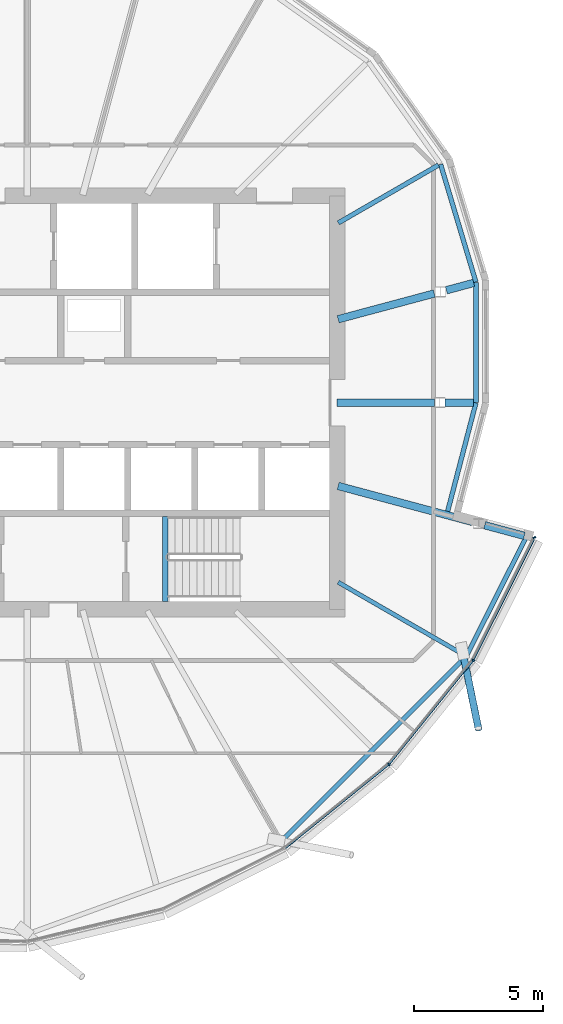
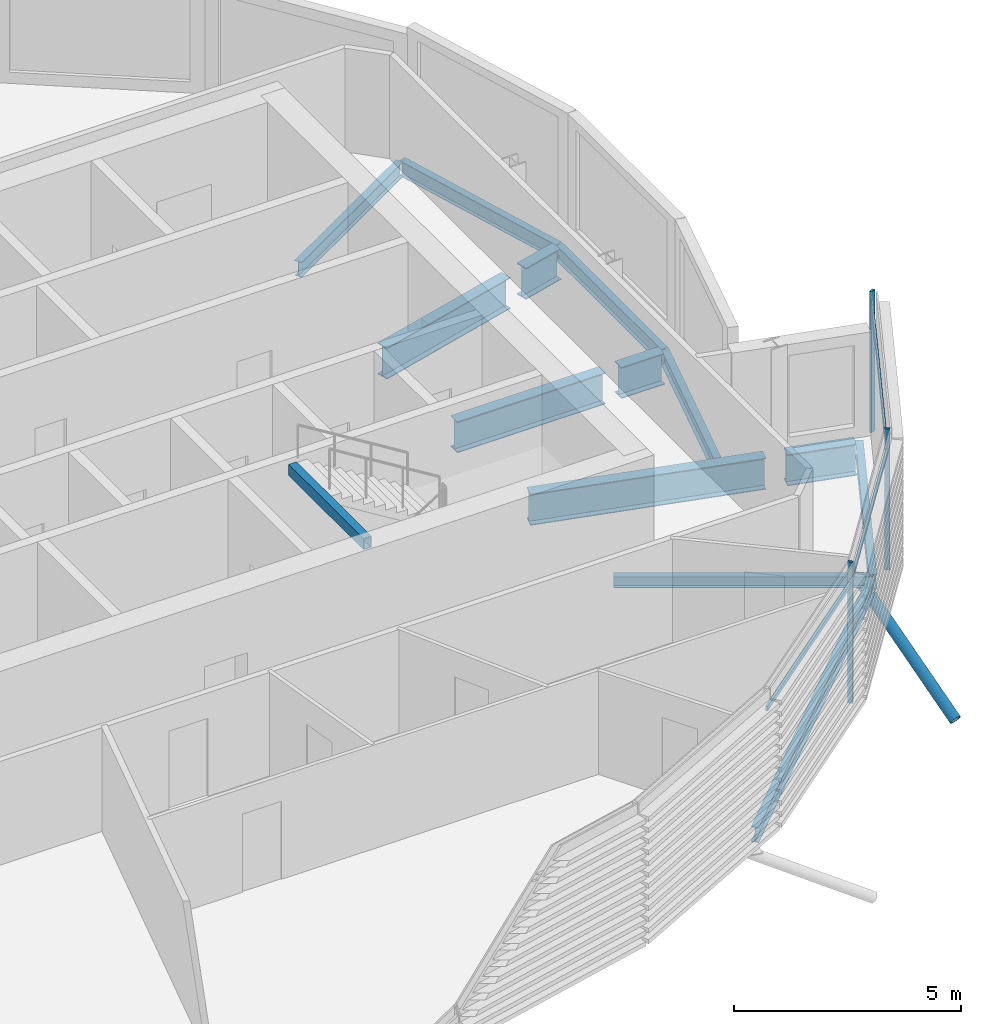
# One storey, part 14 of 37: 14 beams, 7 members, 1 element without a shape of its own.
"""IFC4 building model written with IfcOpenShell, lengths in metres."""

from ifc_helpers import new_model, si_unit, direction, frame, origin, origin_2d, place, context, subcontext, project, spatial, rectangle, hollow_rectangle, hollow_circle, i_section, extrude, clip, halfspace, material, material_profile, profile_set, type_object, element, aggregate, save


model = new_model("IFC4")

# Units and contexts
model_context = context("Model", 3, precision=1e-05, world=origin(), true_north=direction((0.0, 1.0)))
body_context = subcontext(model_context, "Body", "Model", "MODEL_VIEW")
ifc_project = project(units=[si_unit("LENGTHUNIT", "METRE"), si_unit("AREAUNIT", "SQUARE_METRE"), si_unit("VOLUMEUNIT", "CUBIC_METRE"), si_unit("PLANEANGLEUNIT", "RADIAN"), si_unit("MASSUNIT", "GRAM", prefix="KILO")], contexts=[model_context])

# Site, building, storey
site_placement = place(None, origin())
site = spatial("IfcSite", under=ifc_project, at=site_placement, CompositionType="ELEMENT")
building_placement = place(site_placement, origin())
building = spatial("IfcBuilding", under=site, at=building_placement, Name="Rimbun Link Towers", CompositionType="ELEMENT")
storey_placement = place(building_placement, frame((0.0, 0.0, 177.89990234375)))
storey = spatial("IfcBuildingStorey", under=building, at=storey_placement, Name="L43", CompositionType="ELEMENT", Elevation=177.89990234375)

# Curtain wall, members
ifc_material_1 = material(Name="Aluminium 6063-T6 and low-iron glass", Category="aluminium")
curtain_wall_type = type_object("IfcCurtainWallType", Name="CW1-Z3 unitised vision wall (zone 3)", PredefinedType="NOTDEFINED", material=ifc_material_1)
curtain_wall_placement = place(storey_placement, origin())
curtain_wall = element("IfcCurtainWall", 1, at=curtain_wall_placement, inside=storey, type_object=curtain_wall_type, Name="CW1 L43 T2", PredefinedType="NOTDEFINED")
ifc_material_2 = material(Name="Aluminium 6063-T6", Category="aluminium")
ifc_material_profile_1 = material_profile(ifc_material_2, rectangle(XDim=0.1201171875, YDim=0.06005859375, at=origin_2d()), Name="MULLION 60X120")
ifc_profile_set_1 = profile_set([ifc_material_profile_1], Name="Aluminium 6063-T6")
member_type_1 = type_object("IfcMemberType", Name="CW1 mullion 60X120", PredefinedType="MULLION", material=ifc_profile_set_1)
member_1_placement = place(storey_placement, frame((45.7568359375, -14.0068359375, 0.0), z_axis=(0.0, 0.0, 1.0), x_axis=(0.707106781187, -0.707106781187, 0.0)))
member_1 = element("IfcMember", 2, at=member_1_placement, type_object=member_type_1, Name="CW1 mullion", PredefinedType="MULLION", context=body_context, shape_type="SweptSolid", body=[
    extrude(rectangle(XDim=0.1201171875, YDim=0.06005859375, at=origin_2d()), origin(), (0.0, 0.0, 1.0), 3.800048828125),
])
member_2_placement = place(storey_placement, frame((49.0205078125, -9.974609375, 0.0), z_axis=(0.0, 0.0, 1.0), x_axis=(0.84031590903, -0.542097014409, 0.0)))
member_2 = element("IfcMember", 3, at=member_2_placement, type_object=member_type_1, Name="CW1 mullion", PredefinedType="MULLION", context=body_context, shape_type="SweptSolid", body=[
    extrude(rectangle(XDim=0.1201171875, YDim=0.06005859375, at=origin_2d()), origin(), (0.0, 0.0, 1.0), 3.800048828125),
])
member_3_placement = place(storey_placement, frame((51.38330078125, -5.221435546875, 0.0), z_axis=(0.0, 0.0, 1.0), x_axis=(0.912350612817, 0.409409769414, 0.0)))
member_3 = element("IfcMember", 4, at=member_3_placement, type_object=member_type_1, Name="CW1 mullion", PredefinedType="MULLION", context=body_context, shape_type="SweptSolid", body=[
    extrude(rectangle(XDim=0.1201171875, YDim=0.06005859375, at=origin_2d()), origin(), (0.0, 0.0, 1.0), 3.800048828125),
])
ifc_material_3 = material(Name="Aluminium 6063-T6", Category="aluminium")
ifc_material_profile_2 = material_profile(ifc_material_3, rectangle(XDim=0.06005859375, YDim=0.1201171875, at=origin_2d()), Name="TRANSOM 60X120")
ifc_profile_set_2 = profile_set([ifc_material_profile_2], Name="Aluminium 6063-T6")
member_type_2 = type_object("IfcMemberType", Name="CW1 transom 60X120", PredefinedType="USERDEFINED", material=ifc_profile_set_2)
member_4_placement = place(storey_placement, frame((45.7275390625, -14.0283203125, 3.2001953125), z_axis=(-0.777274882406, -0.629161153586, 0.0), x_axis=(0.629161153586, -0.777274882406, 0.0)))
member_4 = element("IfcMember", 5, at=member_4_placement, type_object=member_type_2, Name="CW1 transom", ObjectType="TRANSOM", PredefinedType="USERDEFINED", context=body_context, shape_type="SweptSolid", body=[
    extrude(rectangle(XDim=0.06005859375, YDim=0.1201171875, at=origin_2d()), origin(), (0.0, 0.0, 1.0), 5.11474609375),
])
member_5_placement = place(storey_placement, frame((48.996337890625, -10.001953125, 3.2001953125), z_axis=(-0.629161153586, -0.777274882406, 0.0), x_axis=(0.777274882406, -0.629161153586, 0.0)))
member_5 = element("IfcMember", 6, at=member_5_placement, type_object=member_type_2, Name="CW1 transom", ObjectType="TRANSOM", PredefinedType="USERDEFINED", context=body_context, shape_type="SweptSolid", body=[
    extrude(rectangle(XDim=0.06005859375, YDim=0.1201171875, at=origin_2d()), origin(), (0.0, 0.0, 1.0), 5.11474609375),
])
member_6_placement = place(storey_placement, frame((51.366943359375, -5.298828125, 3.2001953125), z_axis=(-0.448791894186, -0.89363629946, 0.0), x_axis=(0.89363629946, -0.448791894186, 0.0)))
member_6 = element("IfcMember", 7, at=member_6_placement, type_object=member_type_2, Name="CW1 transom", ObjectType="TRANSOM", PredefinedType="USERDEFINED", context=body_context, shape_type="SweptSolid", body=[
    extrude(rectangle(XDim=0.06005859375, YDim=0.1201171875, at=origin_2d()), origin(), (0.0, 0.0, 1.0), 5.195068359375),
])
aggregate(curtain_wall, [member_1, member_2, member_3, member_4, member_5, member_6])

# Member
ifc_material_4 = material(Name="Steel S355J2H", Category="steel")
ifc_material_profile_3 = material_profile(ifc_material_4, hollow_circle(Radius=0.136474609375, WallThickness=0.012451171875, at=origin_2d()), Name="CHS 273x12.5")
ifc_profile_set_3 = profile_set([ifc_material_profile_3], Name="Steel S355J2H")
member_type_3 = type_object("IfcMemberType", Name="Floor edge link CHS 273x12.5", PredefinedType="BRACE", material=ifc_profile_set_3)
member_7_placement = place(storey_placement, frame((48.629638671875, -9.74560546875, -0.5673828125), z_axis=(0.168032855961, -0.817244432568, -0.551249940366), x_axis=(0.979509882615, 0.201396101899, 0.0)))
element("IfcMember", 8, at=member_7_placement, inside=storey, type_object=member_type_3, Name="Floor edge link T2 L43 19", PredefinedType="BRACE", context=body_context, shape_type="Clipping", body=[
    clip(extrude(hollow_circle(Radius=0.136474609375, WallThickness=0.012451171875, at=origin_2d()), frame((0.0, 0.0, -0.431396484375)), (0.0, 0.0, 1.0), 3.9677734375), halfspace(frame((0.0, 0.0, -0.203369140625), z_axis=(0.0, 0.834340160394, -0.551249940366)), False)),
])

# Beams
ifc_material_5 = material(Name="Steel S355J2", Category="steel")
ifc_material_profile_4 = material_profile(ifc_material_5, hollow_rectangle(XDim=0.199951171875, YDim=0.300048828125, WallThickness=0.011962890625, at=origin_2d()), Name="BOX 300x200x12")
ifc_profile_set_4 = profile_set([ifc_material_profile_4], Name="Steel S355J2")
beam_type_1 = type_object("IfcBeamType", Name="Stair trimmer beam BOX 300x200x12", PredefinedType="BEAM", material=ifc_profile_set_4)
beam_1_placement = place(storey_placement, frame((37.10009765625, -7.699951171875, 3.5), z_axis=(0.0, 1.0, 0.0), x_axis=(-1.0, 0.0, 0.0)))
element("IfcBeam", 9, at=beam_1_placement, inside=storey, type_object=beam_type_1, Name="L43 ST4 stair beam 1", PredefinedType="BEAM", context=body_context, shape_type="SweptSolid", body=[
    extrude(hollow_rectangle(XDim=0.199951171875, YDim=0.300048828125, WallThickness=0.011962890625, at=origin_2d()), origin(), (0.0, 0.0, 1.0), 3.300048828125),
])
ifc_material_6 = material(Name="Steel S355J2", Category="steel")
ifc_material_profile_5 = material_profile(ifc_material_6, i_section(OverallWidth=0.1650390625, OverallDepth=0.303466796875, WebThickness=0.006103515625, FlangeThickness=0.01025390625, at=origin_2d()), Name="UB 305x165x40")
ifc_profile_set_5 = profile_set([ifc_material_profile_5], Name="Steel S355J2")
beam_type_2 = type_object("IfcBeamType", Name="UB 305x165x40", PredefinedType="BEAM", material=ifc_profile_set_5)
beam_2_placement = place(storey_placement, frame((43.7919921875, -6.952392578125, -0.301513671875), z_axis=(0.866024727271, -0.500001171754, 0.0), x_axis=(0.500001171754, 0.866024727271, 0.0)))
element("IfcBeam", 10, at=beam_2_placement, inside=storey, type_object=beam_type_2, Name="Radial beam T2 L43 19", PredefinedType="BEAM", context=body_context, shape_type="SweptSolid", body=[
    extrude(i_section(OverallWidth=0.1650390625, OverallDepth=0.303466796875, WebThickness=0.006103515625, FlangeThickness=0.01025390625, at=origin_2d()), origin(), (0.0, 0.0, 1.0), 5.63623046875),
])
ifc_material_7 = material(Name="Steel S355J2", Category="steel")
ifc_material_profile_6 = material_profile(ifc_material_7, i_section(OverallWidth=0.177978515625, OverallDepth=0.406494140625, WebThickness=0.0078125, FlangeThickness=0.0126953125, at=origin_2d()), Name="UB 406x178x60")
ifc_profile_set_6 = profile_set([ifc_material_profile_6], Name="Steel S355J2")
beam_type_3 = type_object("IfcBeamType", Name="UB 406x178x60", PredefinedType="BEAM", material=ifc_profile_set_6)
beam_3_placement = place(storey_placement, frame((43.79541015625, 6.954345703125, -0.35302734375), z_axis=(0.866019379875, 0.500010433572, 0.0), x_axis=(-0.500010433572, 0.866019379875, 0.0)))
element("IfcBeam", 11, at=beam_3_placement, inside=storey, type_object=beam_type_3, Name="Radial beam T2 L43 23", PredefinedType="BEAM", context=body_context, shape_type="SweptSolid", body=[
    extrude(i_section(OverallWidth=0.177978515625, OverallDepth=0.406494140625, WebThickness=0.0078125, FlangeThickness=0.0126953125, at=origin_2d()), origin(), (0.0, 0.0, 1.0), 4.4765625),
])
beam_4_placement = place(storey_placement, frame((41.642822265625, -16.923583984375, -0.35302734375), z_axis=(0.707119029808, 0.707094532353, 0.0), x_axis=(-0.707094532353, 0.707119029808, 0.0)))
element("IfcBeam", 12, at=beam_4_placement, inside=storey, type_object=beam_type_3, Name="Edge beam T2 L43 17-19", PredefinedType="BEAM", context=body_context, shape_type="SweptSolid", body=[
    extrude(i_section(OverallWidth=0.177978515625, OverallDepth=0.406494140625, WebThickness=0.0078125, FlangeThickness=0.0126953125, at=origin_2d()), origin(), (0.0, 0.0, 1.0), 9.966064453125),
])
beam_5_placement = place(storey_placement, frame((48.75146484375, -9.814697265625, -0.35302734375), z_axis=(0.449245908219, 0.893408145222, 0.0), x_axis=(-0.893408145222, 0.449245908219, 0.0)))
element("IfcBeam", 13, at=beam_5_placement, inside=storey, type_object=beam_type_3, Name="Edge beam T2 L43 19", PredefinedType="BEAM", context=body_context, shape_type="SweptSolid", body=[
    extrude(i_section(OverallWidth=0.177978515625, OverallDepth=0.406494140625, WebThickness=0.0078125, FlangeThickness=0.0126953125, at=origin_2d()), origin(), (0.0, 0.0, 1.0), 5.1865234375),
])
beam_6_placement = place(storey_placement, frame((48.027587890625, -4.20849609375, -0.35302734375), z_axis=(0.252259185251, 0.967659704368, 0.0), x_axis=(-0.967659704368, 0.252259185251, 0.0)))
element("IfcBeam", 14, at=beam_6_placement, inside=storey, type_object=beam_type_3, Name="Edge beam T2 L43 20 recess", PredefinedType="BEAM", context=body_context, shape_type="SweptSolid", body=[
    extrude(i_section(OverallWidth=0.177978515625, OverallDepth=0.406494140625, WebThickness=0.0078125, FlangeThickness=0.0126953125, at=origin_2d()), origin(), (0.0, 0.0, 1.0), 4.336669921875),
])
beam_7_placement = place(storey_placement, frame((49.124755859375, 0.012451171875, -0.35302734375), z_axis=(0.000105479668, 0.999999994437, 0.0), x_axis=(-0.999999994437, 0.000105479668, 0.0)))
element("IfcBeam", 15, at=beam_7_placement, inside=storey, type_object=beam_type_3, Name="Edge beam T2 L43 21 recess", PredefinedType="BEAM", context=body_context, shape_type="SweptSolid", body=[
    extrude(i_section(OverallWidth=0.177978515625, OverallDepth=0.406494140625, WebThickness=0.0078125, FlangeThickness=0.0126953125, at=origin_2d()), origin(), (0.0, 0.0, 1.0), 4.629150390625),
])
beam_8_placement = place(storey_placement, frame((49.121337890625, 4.669189453125, -0.35302734375), z_axis=(-0.287413840824, 0.957806496169, 0.0), x_axis=(-0.957806496169, -0.287413840824, 0.0)))
element("IfcBeam", 16, at=beam_8_placement, inside=storey, type_object=beam_type_3, Name="Edge beam T2 L43 22 recess", PredefinedType="BEAM", context=body_context, shape_type="SweptSolid", body=[
    extrude(i_section(OverallWidth=0.177978515625, OverallDepth=0.406494140625, WebThickness=0.0078125, FlangeThickness=0.0126953125, at=origin_2d()), origin(), (0.0, 0.0, 1.0), 4.75439453125),
])
ifc_material_8 = material(Name="Steel S355J2", Category="steel")
ifc_material_profile_7 = material_profile(ifc_material_8, i_section(OverallWidth=0.29248046875, OverallDepth=0.8408203125, WebThickness=0.0126953125, FlangeThickness=0.021728515625, at=origin_2d()), Name="UB 838x292x194")
ifc_profile_set_7 = profile_set([ifc_material_profile_7], Name="Steel S355J2")
beam_type_4 = type_object("IfcBeamType", Name="UB 838x292x194", PredefinedType="BEAM", material=ifc_profile_set_7)
beam_9_placement = place(storey_placement, frame((43.788818359375, -3.225830078125, -0.5703125), z_axis=(0.965931653646, -0.258797296131, 0.0), x_axis=(0.258797296131, 0.965931653646, 0.0)))
element("IfcBeam", 17, at=beam_9_placement, inside=storey, type_object=beam_type_4, Name="Radial beam T2 L43 20", PredefinedType="BEAM", context=body_context, shape_type="SweptSolid", body=[
    extrude(i_section(OverallWidth=0.29248046875, OverallDepth=0.8408203125, WebThickness=0.0126953125, FlangeThickness=0.021728515625, at=origin_2d()), origin(), (0.0, 0.0, 1.0), 5.3828125),
])
beam_10_placement = place(storey_placement, frame((43.7509765625, 0.0, -0.5703125), z_axis=(1.0, 0.0, 0.0), x_axis=(0.0, 1.0, 0.0)))
element("IfcBeam", 18, at=beam_10_placement, inside=storey, type_object=beam_type_4, Name="Radial beam T2 L43 21", PredefinedType="BEAM", context=body_context, shape_type="SweptSolid", body=[
    extrude(i_section(OverallWidth=0.29248046875, OverallDepth=0.8408203125, WebThickness=0.0126953125, FlangeThickness=0.021728515625, at=origin_2d()), origin(), (0.0, 0.0, 1.0), 3.77685546875),
])
beam_11_placement = place(storey_placement, frame((43.788818359375, 3.225830078125, -0.5703125), z_axis=(0.965937582463, 0.258775166477, 0.0), x_axis=(-0.258775166477, 0.965937582463, 0.0)))
element("IfcBeam", 19, at=beam_11_placement, inside=storey, type_object=beam_type_4, Name="Radial beam T2 L43 22", PredefinedType="BEAM", context=body_context, shape_type="SweptSolid", body=[
    extrude(i_section(OverallWidth=0.29248046875, OverallDepth=0.8408203125, WebThickness=0.0126953125, FlangeThickness=0.021728515625, at=origin_2d()), origin(), (0.0, 0.0, 1.0), 3.85107421875),
])
beam_12_placement = place(storey_placement, frame((49.459716796875, -4.745361328125, -0.5703125), z_axis=(0.965925398675, -0.258820640976, 0.0), x_axis=(0.258820640976, 0.965925398675, 0.0)))
element("IfcBeam", 20, at=beam_12_placement, inside=storey, type_object=beam_type_4, Name="Radial beam T2 L43 20 outer cantilever", PredefinedType="BEAM", context=body_context, shape_type="SweptSolid", body=[
    extrude(i_section(OverallWidth=0.29248046875, OverallDepth=0.8408203125, WebThickness=0.0126953125, FlangeThickness=0.021728515625, at=origin_2d()), origin(), (0.0, 0.0, 1.0), 1.587646484375),
])
beam_13_placement = place(storey_placement, frame((47.927978515625, 0.0, -0.5703125), z_axis=(1.0, 0.0, 0.0), x_axis=(0.0, 1.0, 0.0)))
element("IfcBeam", 21, at=beam_13_placement, inside=storey, type_object=beam_type_4, Name="Radial beam T2 L43 21 outer cantilever", PredefinedType="BEAM", context=body_context, shape_type="SweptSolid", body=[
    extrude(i_section(OverallWidth=0.29248046875, OverallDepth=0.8408203125, WebThickness=0.0126953125, FlangeThickness=0.021728515625, at=origin_2d()), origin(), (0.0, 0.0, 1.0), 1.106201171875),
])
beam_14_placement = place(storey_placement, frame((47.97998046875, 4.348876953125, -0.5703125), z_axis=(0.965927155502, 0.258814084361, 0.0), x_axis=(-0.258814084361, 0.965927155502, 0.0)))
element("IfcBeam", 22, at=beam_14_placement, inside=storey, type_object=beam_type_4, Name="Radial beam T2 L43 22 outer cantilever", PredefinedType="BEAM", context=body_context, shape_type="SweptSolid", body=[
    extrude(i_section(OverallWidth=0.29248046875, OverallDepth=0.8408203125, WebThickness=0.0126953125, FlangeThickness=0.021728515625, at=origin_2d()), origin(), (0.0, 0.0, 1.0), 1.09521484375),
])

save(model, "model.ifc")
